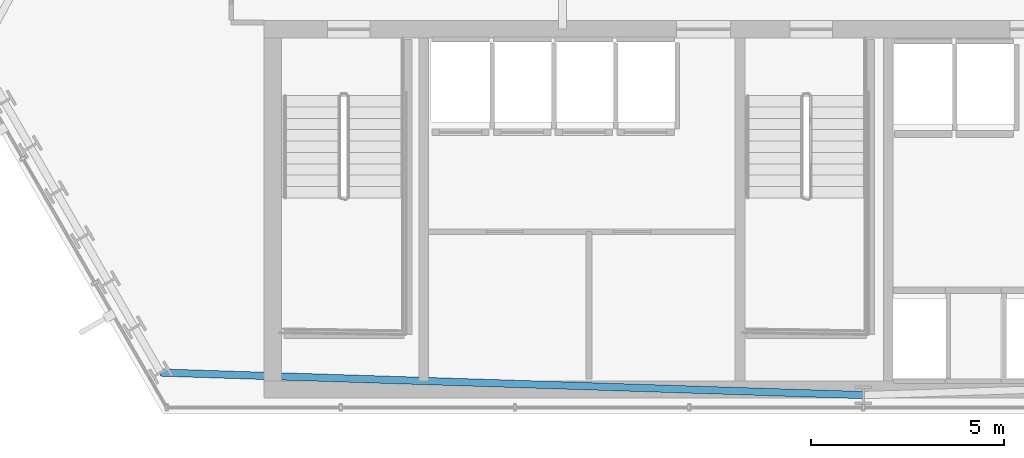
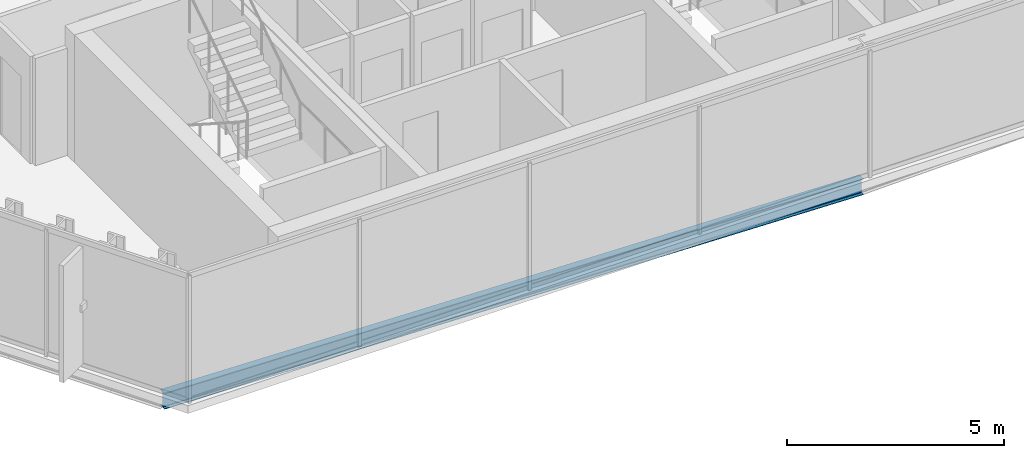
# One storey, part 3 of 33: 1 beam.
"""IFC4 building model written with IfcOpenShell, lengths in metres."""

from ifc_helpers import new_model, si_unit, direction, frame, origin, origin_2d, place, context, subcontext, project, spatial, i_section, extrude, material, material_profile, profile_set, type_object, element, save


model = new_model("IFC4")

# Units and contexts
model_context = context("Model", 3, precision=1e-05, world=origin(), true_north=direction((0.0, 1.0)))
body_context = subcontext(model_context, "Body", "Model", "MODEL_VIEW")
ifc_project = project(units=[si_unit("LENGTHUNIT", "METRE"), si_unit("AREAUNIT", "SQUARE_METRE"), si_unit("VOLUMEUNIT", "CUBIC_METRE"), si_unit("PLANEANGLEUNIT", "RADIAN"), si_unit("MASSUNIT", "GRAM", prefix="KILO")], contexts=[model_context])

# Site, building, storey
site_placement = place(None, origin())
site = spatial("IfcSite", under=ifc_project, at=site_placement, CompositionType="ELEMENT")
building_placement = place(site_placement, origin())
building = spatial("IfcBuilding", under=site, at=building_placement, Name="Ndaravel Arena Tower", CompositionType="ELEMENT")
storey_placement = place(building_placement, frame((0.0, 0.0, 153.60009765625)))
storey = spatial("IfcBuildingStorey", under=building, at=storey_placement, Name="L36", CompositionType="ELEMENT", Elevation=153.60009765625)

# Beam
ifc_material = material(Name="Steel S355", Category="steel")
ifc_material_profile = material_profile(ifc_material, i_section(OverallWidth=0.18994140625, OverallDepth=0.449951171875, WebThickness=0.009521484375, FlangeThickness=0.0146484375, FilletRadius=0.02099609375, at=origin_2d()), Name="IPE 450")
ifc_profile_set = profile_set([ifc_material_profile], Name="Steel S355")
beam_type = type_object("IfcBeamType", Name="BM-SPAN-IPE450", PredefinedType="SPANDREL", material=ifc_profile_set)
beam_placement = place(storey_placement, frame((23.77099609375, 6.065185546875, -0.445068359375), z_axis=(0.999485097772, -0.032086435317, 0.0), x_axis=(0.032086435317, 0.999485097772, 0.0)))
element("IfcBeam", 1, at=beam_placement, inside=storey, type_object=beam_type, Name="L36 Perimeter Spandrel Beam SP-27", PredefinedType="SPANDREL", context=body_context, shape_type="SweptSolid", body=[
    extrude(i_section(OverallWidth=0.18994140625, OverallDepth=0.449951171875, WebThickness=0.009521484375, FlangeThickness=0.0146484375, FilletRadius=0.02099609375, at=origin_2d()), origin(), (0.0, 0.0, 1.0), 18.23828125),
])

save(model, "model.ifc")
